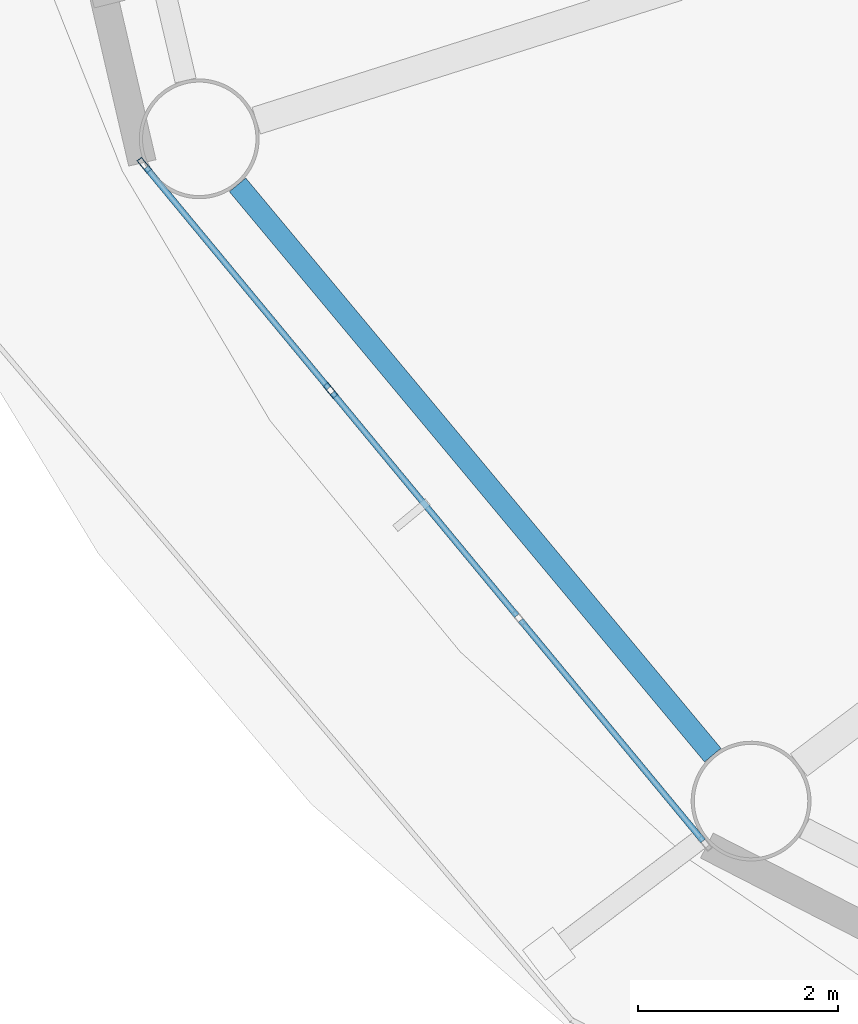
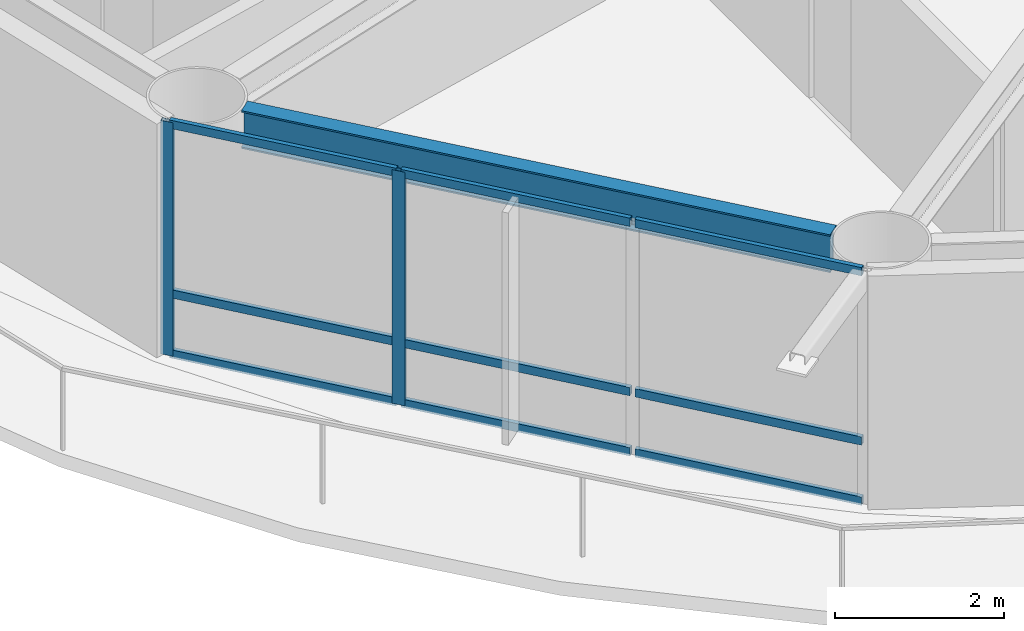
# One storey, part 3 of 28: 11 members, 1 beam, 1 element without a shape of its own.
"""IFC4 building model written with IfcOpenShell, lengths in metres."""

from ifc_helpers import new_model, si_unit, direction, frame, origin, origin_2d, place, context, subcontext, project, spatial, hollow_rectangle, i_section, extrude, material, layer, layer_set, material_profile, profile_set, type_object, element, aggregate, save


model = new_model("IFC4")

# Units and contexts
model_context = context("Model", 3, precision=1e-05, world=origin(), true_north=direction((0.0, 1.0)))
body_context = subcontext(model_context, "Body", "Model", "MODEL_VIEW")
ifc_project = project(units=[si_unit("LENGTHUNIT", "METRE"), si_unit("AREAUNIT", "SQUARE_METRE"), si_unit("VOLUMEUNIT", "CUBIC_METRE"), si_unit("PLANEANGLEUNIT", "RADIAN"), si_unit("MASSUNIT", "GRAM", prefix="KILO")], contexts=[model_context])

# Site, building, storey
site_placement = place(None, origin())
site = spatial("IfcSite", under=ifc_project, at=site_placement, CompositionType="ELEMENT")
building_placement = place(site_placement, origin())
building = spatial("IfcBuilding", under=site, at=building_placement, Name="Sarneth Arch Tower", CompositionType="ELEMENT")
storey_placement = place(building_placement, frame((0.0, 0.0, 183.0)))
storey = spatial("IfcBuildingStorey", under=building, at=storey_placement, Name="L46", CompositionType="ELEMENT", Elevation=183.0)

# Beam
ifc_material_1 = material(Name="Steel S355", Category="steel")
ifc_material_profile_1 = material_profile(ifc_material_1, i_section(OverallWidth=0.214111328125, OverallDepth=0.549072265625, WebThickness=0.0146484375, FlangeThickness=0.023681640625, FilletRadius=0.01806640625, at=origin_2d()), Name="W530x138")
ifc_profile_set_1 = profile_set([ifc_material_profile_1], Name="Steel S355")
beam_type = type_object("IfcBeamType", Name="BM-RAD-530A", PredefinedType="BEAM", material=ifc_profile_set_1)
beam_placement = place(storey_placement, frame((23.721923828125, 33.713134765625, 3.10546875), z_axis=(0.640161793626, -0.768240117399, 0.0), x_axis=(0.768240117399, 0.640161793626, 0.0)))
element("IfcBeam", 1, at=beam_placement, inside=storey, type_object=beam_type, Name="L46 Perimeter spandrel beam 10", PredefinedType="BEAM", context=body_context, shape_type="SweptSolid", body=[
    extrude(i_section(OverallWidth=0.214111328125, OverallDepth=0.549072265625, WebThickness=0.0146484375, FlangeThickness=0.023681640625, FilletRadius=0.01806640625, at=origin_2d()), origin(), (0.0, 0.0, 1.0), 7.43603515625),
])

# Curtain wall, members
ifc_material_2 = material(Name="Anodised aluminium Type AA25 and solar-control low-e laminated IGU", Category="aluminium")
ifc_layer = layer(ifc_material_2, 0.169921875)
ifc_layer_set = layer_set([ifc_layer], Name="Anodised aluminium Type AA25 and solar-control low-e laminated IGU")
curtain_wall_type = type_object("IfcCurtainWallType", Name="CW-RES-MID", PredefinedType="NOTDEFINED", material=ifc_layer_set)
curtain_wall_placement = place(storey_placement, origin())
curtain_wall = element("IfcCurtainWall", 2, at=curtain_wall_placement, inside=storey, type_object=curtain_wall_type, Name="L46 Unitised curtain wall facet 10", PredefinedType="NOTDEFINED")
ifc_material_3 = material(Name="Anodised Aluminium 6063-T6", Category="aluminium")
ifc_material_profile_2 = material_profile(ifc_material_3, hollow_rectangle(XDim=0.06005859375, YDim=0.159912109375, WallThickness=0.00390625, at=origin_2d()), Name="AL-MULL-160x60x4")
ifc_profile_set_2 = profile_set([ifc_material_profile_2], Name="Anodised Aluminium 6063-T6")
member_type_1 = type_object("IfcMemberType", Name="CW-MULLION", PredefinedType="MULLION", material=ifc_profile_set_2)
member_1_placement = place(storey_placement, frame((22.786865234375, 33.909912109375, 0.0), z_axis=(0.0, 0.0, 1.0), x_axis=(0.770590741276, 0.637330298558, 0.0)))
member_1 = element("IfcMember", 3, at=member_1_placement, type_object=member_type_1, Name="CW-SYS-5 mullion 1", PredefinedType="MULLION", context=body_context, shape_type="SweptSolid", body=[
    extrude(hollow_rectangle(XDim=0.06005859375, YDim=0.159912109375, WallThickness=0.00390625, at=origin_2d()), origin(), (0.0, 0.0, 1.0), 3.3798828125),
])
member_2_placement = place(storey_placement, frame((24.653076171875, 31.6533203125, 0.0), z_axis=(0.0, 0.0, 1.0), x_axis=(0.770590741276, 0.637330298558, 0.0)))
member_2 = element("IfcMember", 4, at=member_2_placement, type_object=member_type_1, Name="CW-SYS-5 mullion 2", PredefinedType="MULLION", context=body_context, shape_type="SweptSolid", body=[
    extrude(hollow_rectangle(XDim=0.06005859375, YDim=0.159912109375, WallThickness=0.00390625, at=origin_2d()), origin(), (0.0, 0.0, 1.0), 3.3798828125),
])
ifc_material_4 = material(Name="Anodised Aluminium 6063-T6", Category="aluminium")
ifc_material_profile_3 = material_profile(ifc_material_4, hollow_rectangle(XDim=0.06005859375, YDim=0.1201171875, WallThickness=0.00390625, at=origin_2d()), Name="AL-TRAN-120x60x4")
ifc_profile_set_3 = profile_set([ifc_material_profile_3], Name="Anodised Aluminium 6063-T6")
member_type_2 = type_object("IfcMemberType", Name="CW-TRANSOM", PredefinedType="USERDEFINED", material=ifc_profile_set_3)
member_3_placement = place(storey_placement, frame((22.805908203125, 33.88671875, 0.030029296875), z_axis=(0.637358651504, -0.770567290607, 0.0), x_axis=(0.770567290607, 0.637358651504, 0.0)))
member_3 = element("IfcMember", 5, at=member_3_placement, type_object=member_type_2, Name="CW-SYS-5 transom 1.1", ObjectType="TRANSOM", PredefinedType="USERDEFINED", context=body_context, shape_type="SweptSolid", body=[
    extrude(hollow_rectangle(XDim=0.06005859375, YDim=0.1201171875, WallThickness=0.00390625, at=origin_2d()), origin(), (0.0, 0.0, 1.0), 2.8681640625),
])
member_4_placement = place(storey_placement, frame((22.805908203125, 33.88671875, 0.89990234375), z_axis=(0.637358651504, -0.770567290607, 0.0), x_axis=(0.770567290607, 0.637358651504, 0.0)))
member_4 = element("IfcMember", 6, at=member_4_placement, type_object=member_type_2, Name="CW-SYS-5 transom 1.2", ObjectType="TRANSOM", PredefinedType="USERDEFINED", context=body_context, shape_type="SweptSolid", body=[
    extrude(hollow_rectangle(XDim=0.06005859375, YDim=0.1201171875, WallThickness=0.00390625, at=origin_2d()), origin(), (0.0, 0.0, 1.0), 2.8681640625),
])
member_5_placement = place(storey_placement, frame((22.805908203125, 33.88671875, 3.35009765625), z_axis=(0.637358651504, -0.770567290607, 0.0), x_axis=(0.770567290607, 0.637358651504, 0.0)))
member_5 = element("IfcMember", 7, at=member_5_placement, type_object=member_type_2, Name="CW-SYS-5 transom 1.3", ObjectType="TRANSOM", PredefinedType="USERDEFINED", context=body_context, shape_type="SweptSolid", body=[
    extrude(hollow_rectangle(XDim=0.06005859375, YDim=0.1201171875, WallThickness=0.00390625, at=origin_2d()), origin(), (0.0, 0.0, 1.0), 2.8681640625),
])
member_6_placement = place(storey_placement, frame((24.672119140625, 31.63037109375, 0.030029296875), z_axis=(0.637329777791, -0.770591171985, 0.0), x_axis=(0.770591171985, 0.637329777791, 0.0)))
member_6 = element("IfcMember", 8, at=member_6_placement, type_object=member_type_2, Name="CW-SYS-5 transom 2.1", ObjectType="TRANSOM", PredefinedType="USERDEFINED", context=body_context, shape_type="SweptSolid", body=[
    extrude(hollow_rectangle(XDim=0.06005859375, YDim=0.1201171875, WallThickness=0.00390625, at=origin_2d()), origin(), (0.0, 0.0, 1.0), 2.898193359375),
])
member_7_placement = place(storey_placement, frame((24.672119140625, 31.63037109375, 0.89990234375), z_axis=(0.637329777791, -0.770591171985, 0.0), x_axis=(0.770591171985, 0.637329777791, 0.0)))
member_7 = element("IfcMember", 9, at=member_7_placement, type_object=member_type_2, Name="CW-SYS-5 transom 2.2", ObjectType="TRANSOM", PredefinedType="USERDEFINED", context=body_context, shape_type="SweptSolid", body=[
    extrude(hollow_rectangle(XDim=0.06005859375, YDim=0.1201171875, WallThickness=0.00390625, at=origin_2d()), origin(), (0.0, 0.0, 1.0), 2.898193359375),
])
member_8_placement = place(storey_placement, frame((24.672119140625, 31.63037109375, 3.35009765625), z_axis=(0.637329777791, -0.770591171985, 0.0), x_axis=(0.770591171985, 0.637329777791, 0.0)))
member_8 = element("IfcMember", 10, at=member_8_placement, type_object=member_type_2, Name="CW-SYS-5 transom 2.3", ObjectType="TRANSOM", PredefinedType="USERDEFINED", context=body_context, shape_type="SweptSolid", body=[
    extrude(hollow_rectangle(XDim=0.06005859375, YDim=0.1201171875, WallThickness=0.00390625, at=origin_2d()), origin(), (0.0, 0.0, 1.0), 2.898193359375),
])
member_9_placement = place(storey_placement, frame((26.5576171875, 29.3505859375, 0.030029296875), z_axis=(0.637358651504, -0.770567290607, 0.0), x_axis=(0.770567290607, 0.637358651504, 0.0)))
member_9 = element("IfcMember", 11, at=member_9_placement, type_object=member_type_2, Name="CW-SYS-5 transom 3.1", ObjectType="TRANSOM", PredefinedType="USERDEFINED", context=body_context, shape_type="SweptSolid", body=[
    extrude(hollow_rectangle(XDim=0.06005859375, YDim=0.1201171875, WallThickness=0.00390625, at=origin_2d()), origin(), (0.0, 0.0, 1.0), 2.8681640625),
])
member_10_placement = place(storey_placement, frame((26.5576171875, 29.3505859375, 0.89990234375), z_axis=(0.637358651504, -0.770567290607, 0.0), x_axis=(0.770567290607, 0.637358651504, 0.0)))
member_10 = element("IfcMember", 12, at=member_10_placement, type_object=member_type_2, Name="CW-SYS-5 transom 3.2", ObjectType="TRANSOM", PredefinedType="USERDEFINED", context=body_context, shape_type="SweptSolid", body=[
    extrude(hollow_rectangle(XDim=0.06005859375, YDim=0.1201171875, WallThickness=0.00390625, at=origin_2d()), origin(), (0.0, 0.0, 1.0), 2.8681640625),
])
member_11_placement = place(storey_placement, frame((26.5576171875, 29.3505859375, 3.35009765625), z_axis=(0.637358651504, -0.770567290607, 0.0), x_axis=(0.770567290607, 0.637358651504, 0.0)))
member_11 = element("IfcMember", 13, at=member_11_placement, type_object=member_type_2, Name="CW-SYS-5 transom 3.3", ObjectType="TRANSOM", PredefinedType="USERDEFINED", context=body_context, shape_type="SweptSolid", body=[
    extrude(hollow_rectangle(XDim=0.06005859375, YDim=0.1201171875, WallThickness=0.00390625, at=origin_2d()), origin(), (0.0, 0.0, 1.0), 2.8681640625),
])
aggregate(curtain_wall, [member_1, member_2, member_3, member_4, member_5, member_6, member_7, member_8, member_9, member_10, member_11])

save(model, "model.ifc")
